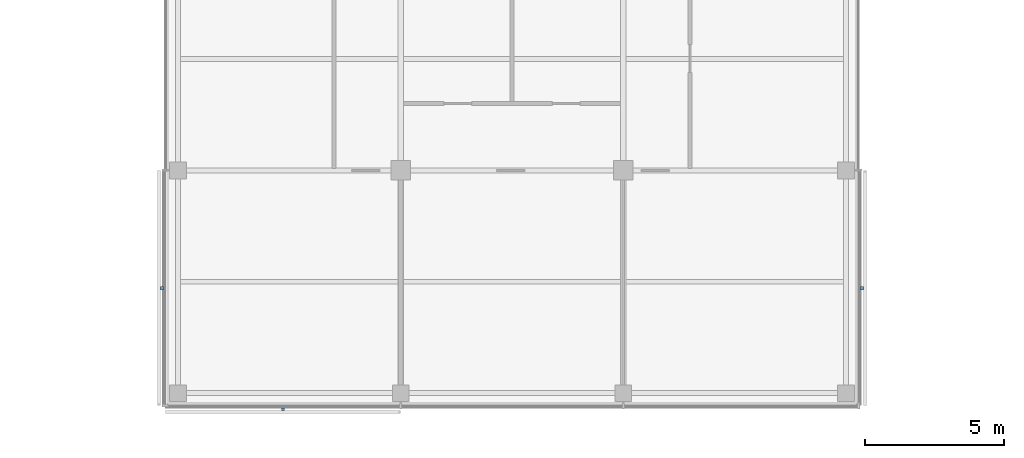
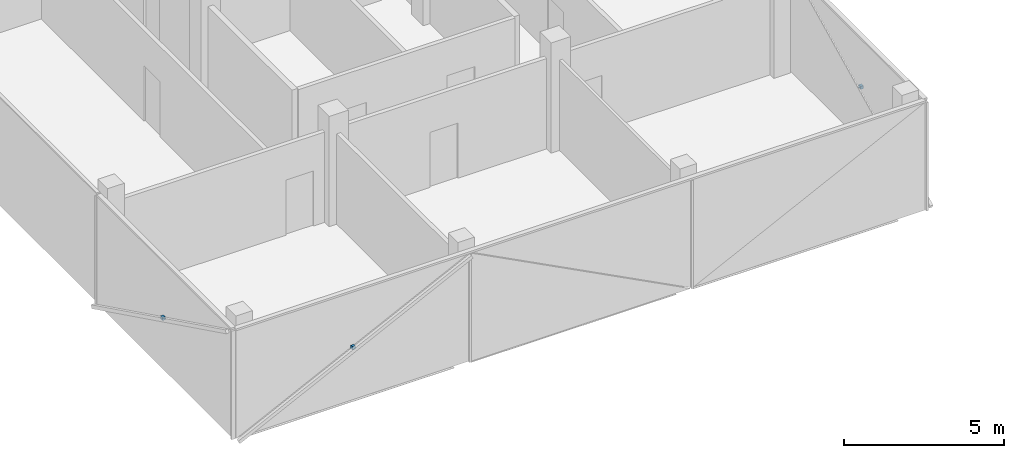
# One storey, part 14 of 16: 3 discrete accessories.
"""IFC4 building model written with IfcOpenShell, lengths in metres."""

from ifc_helpers import new_model, si_unit, direction, frame, origin, origin_2d, place, context, subcontext, project, spatial, rectangle, extrude, material, type_object, element, save


model = new_model("IFC4")

# Units and contexts
model_context = context("Model", 3, precision=1e-05, world=origin(), true_north=direction((0.0, 1.0)))
body_context = subcontext(model_context, "Body", "Model", "MODEL_VIEW")
ifc_project = project(units=[si_unit("LENGTHUNIT", "METRE"), si_unit("AREAUNIT", "SQUARE_METRE"), si_unit("VOLUMEUNIT", "CUBIC_METRE"), si_unit("PLANEANGLEUNIT", "RADIAN"), si_unit("MASSUNIT", "GRAM", prefix="KILO")], contexts=[model_context])

# Site, building, storey
site_placement = place(None, origin())
site = spatial("IfcSite", under=ifc_project, at=site_placement, CompositionType="ELEMENT")
building_placement = place(site_placement, origin())
building = spatial("IfcBuilding", under=site, at=building_placement, Name="Crosswind Convention Tower", CompositionType="ELEMENT")
storey_placement = place(building_placement, frame((0.0, 0.0, 253.5)))
storey = spatial("IfcBuildingStorey", under=building, at=storey_placement, Name="L54", CompositionType="ELEMENT", Elevation=253.5)

# Discrete accessories
ifc_material = material(Name="Stainless steel", Category="steel")
discrete_accessory_type = type_object("IfcDiscreteAccessoryType", Name="BAGUETTE BRACKET BK3", PredefinedType="BRACKET", material=ifc_material)
for number, where, z_axis, x_axis, name in (
    (1, (112.424072265625, 75.77001953125, 1.704833984375), (0.0, 0.0, 1.0), (0.0, -1.0, 0.0), "BK3 baguette bracket"),
    (2, (116.77001953125, 71.424072265625, 1.704833984375), (0.0, 0.0, 1.0), (1.0, 0.0, 0.0), "BK3 baguette bracket"),
    (3, (137.575927734375, 75.77001953125, 1.704833984375), (0.0, 0.0, 1.0), (0.0, 1.0, 0.0), "BK3 baguette bracket"),
):
    element("IfcDiscreteAccessory", number, at=place(storey_placement, frame(where, z_axis=z_axis, x_axis=x_axis)), inside=storey, type_object=discrete_accessory_type, Name=name, PredefinedType="BRACKET", context=body_context, shape_type="SweptSolid", body=[
        extrude(rectangle(XDim=0.1201171875, YDim=0.10009765625, at=origin_2d()), origin(), (0.0, 0.0, 1.0), 0.1201171875),
    ])

save(model, "model.ifc")
